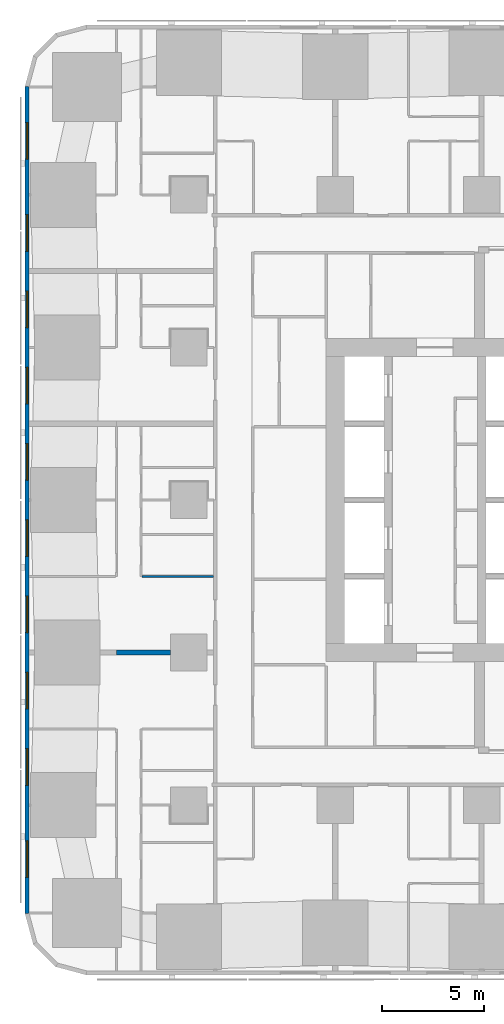
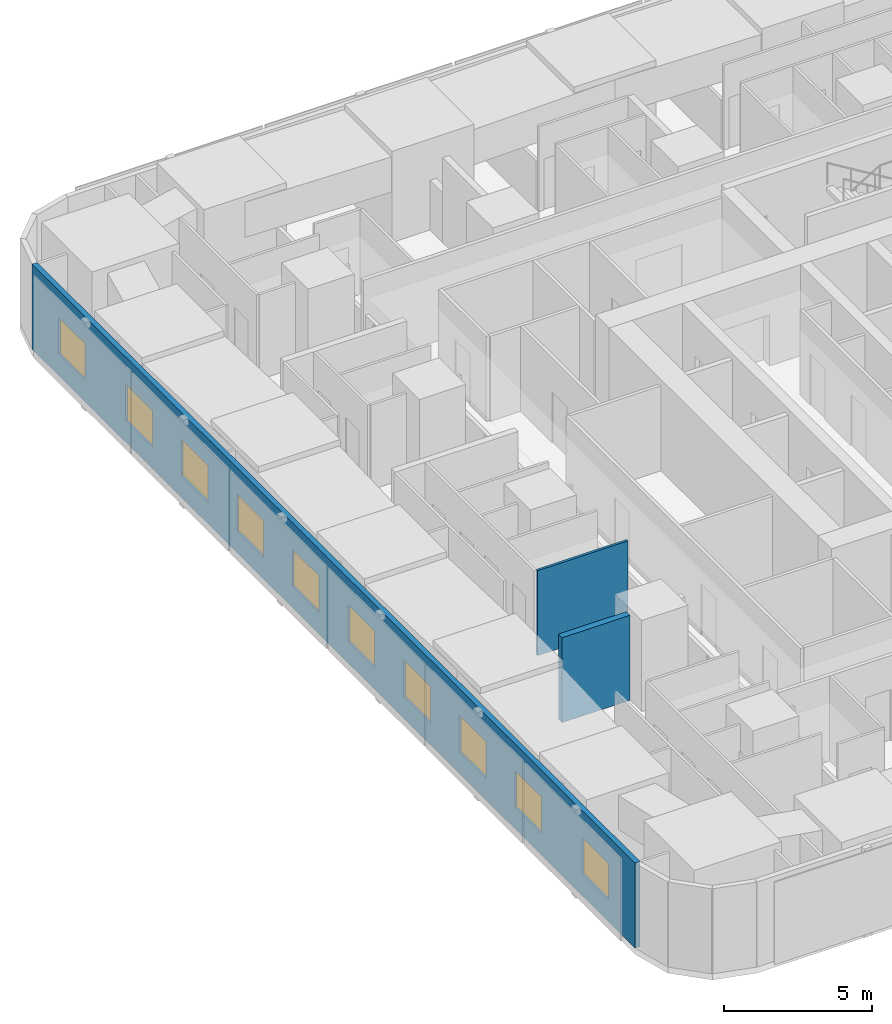
# One storey, part 4 of 17: 10 windows, 3 walls, 10 openings.
"""IFC4 building model written with IfcOpenShell, lengths in metres."""

from ifc_helpers import new_model, si_unit, direction, frame, frame_2d, origin, place, context, subcontext, project, spatial, rectangle, extrude, material, layer, layer_set, type_object, element, fill, save


model = new_model("IFC4")

# Units and contexts
model_context = context("Model", 3, precision=1e-05, world=origin(), true_north=direction((0.0, 1.0)))
body_context = subcontext(model_context, "Body", "Model", "MODEL_VIEW")
ifc_project = project(units=[si_unit("LENGTHUNIT", "METRE"), si_unit("AREAUNIT", "SQUARE_METRE"), si_unit("VOLUMEUNIT", "CUBIC_METRE"), si_unit("PLANEANGLEUNIT", "RADIAN"), si_unit("MASSUNIT", "GRAM", prefix="KILO")], contexts=[model_context])

# Site, building, storey
site_placement = place(None, origin())
site = spatial("IfcSite", under=ifc_project, at=site_placement, CompositionType="ELEMENT")
building_placement = place(site_placement, origin())
building = spatial("IfcBuilding", under=site, at=building_placement, Name="Sheger Commons Tower", CompositionType="ELEMENT")
storey_placement = place(building_placement, frame((0.0, 0.0, 23.75)))
storey = spatial("IfcBuildingStorey", under=building, at=storey_placement, Name="L05", CompositionType="ELEMENT", Elevation=23.75)

# Wall
ifc_material_1 = material(Name="Dense concrete block masonry, plastered both sides (separating wall between flats)", Category="masonry")
ifc_layer_1 = layer(ifc_material_1, 0.25)
ifc_layer_set_1 = layer_set([ifc_layer_1], Name="DEMISING WALL 250")
wall_type_1 = type_object("IfcWallType", Name="DEMISING WALL 250", PredefinedType="SOLIDWALL", material=ifc_layer_set_1)
wall_1_placement = place(storey_placement, frame((3.64990234375, 15.0, 0.0), z_axis=(0.0, 0.0, 1.0), x_axis=(1.0, 0.0, 0.0)))
element("IfcWall", 1, at=wall_1_placement, inside=storey, type_object=wall_type_1, Name="Demising wall L05", PredefinedType="SOLIDWALL", context=body_context, shape_type="SweptSolid", body=[
    extrude(rectangle(XDim=2.649169921875, YDim=0.25, at=frame_2d((1.32470703125, 0.0))), origin(), (0.0, 0.0, 1.0), 3.5),
])

# Wall, openings, windows
ifc_material_2 = material(Name="Rendered concrete block masonry, dark grey", Category="masonry")
ifc_layer_2 = layer(ifc_material_2, 0.199951171875)
ifc_layer_set_2 = layer_set([ifc_layer_2], Name="FACADE WALL 200")
wall_type_2 = type_object("IfcWallType", Name="FACADE WALL 200", PredefinedType="SOLIDWALL", material=ifc_layer_set_2)
wall_2_placement = place(storey_placement, frame((-0.75, 42.8369140625, 0.0), z_axis=(0.0, 0.0, 1.0), x_axis=(0.0, -1.0, 0.0)))
wall_2 = element("IfcWall", 2, at=wall_2_placement, inside=storey, type_object=wall_type_2, Name="Facade wall L05", PredefinedType="SOLIDWALL", context=body_context, shape_type="SweptSolid", body=[
    extrude(rectangle(XDim=40.673828125, YDim=0.199951171875, at=frame_2d((20.3369140625, 0.0))), origin(), (0.0, 0.0, 1.0), 3.5),
])
opening_1_placement = place(wall_2_placement, frame((1.780029296875, 0.0, 0.89990234375)))
opening_1 = element("IfcOpeningElement", 3, at=opening_1_placement, cuts=wall_2, Name="Opening W2", PredefinedType="OPENING", context=body_context, shape_type="SweptSolid", body=[
    extrude(rectangle(XDim=1.800048828125, YDim=1.5, at=frame_2d((0.89990234375, 0.75))), frame((0.0, 0.10986328125, 0.0), z_axis=(0.0, -1.0, 0.0), x_axis=(1.0, 0.0, 0.0)), (0.0, 0.0, 1.0), 0.219970703125),
])
opening_2_placement = place(wall_2_placement, frame((6.31201171875, 0.0, 0.89990234375)))
opening_2 = element("IfcOpeningElement", 4, at=opening_2_placement, cuts=wall_2, Name="Opening W2", PredefinedType="OPENING", context=body_context, shape_type="SweptSolid", body=[
    extrude(rectangle(XDim=1.800048828125, YDim=1.5, at=frame_2d((0.89990234375, 0.75))), frame((0.0, 0.10986328125, 0.0), z_axis=(0.0, -1.0, 0.0), x_axis=(1.0, 0.0, 0.0)), (0.0, 0.0, 1.0), 0.219970703125),
])
opening_3_placement = place(wall_2_placement, frame((10.06201171875, 0.0, 0.89990234375)))
opening_3 = element("IfcOpeningElement", 5, at=opening_3_placement, cuts=wall_2, Name="Opening W2", PredefinedType="OPENING", context=body_context, shape_type="SweptSolid", body=[
    extrude(rectangle(XDim=1.800048828125, YDim=1.5, at=frame_2d((0.89990234375, 0.75))), frame((0.0, 0.10986328125, 0.0), z_axis=(0.0, -1.0, 0.0), x_axis=(1.0, 0.0, 0.0)), (0.0, 0.0, 1.0), 0.219970703125),
])
opening_4_placement = place(wall_2_placement, frame((13.81201171875, 0.0, 0.89990234375)))
opening_4 = element("IfcOpeningElement", 6, at=opening_4_placement, cuts=wall_2, Name="Opening W2", PredefinedType="OPENING", context=body_context, shape_type="SweptSolid", body=[
    extrude(rectangle(XDim=1.800048828125, YDim=1.5, at=frame_2d((0.89990234375, 0.75))), frame((0.0, 0.10986328125, 0.0), z_axis=(0.0, -1.0, 0.0), x_axis=(1.0, 0.0, 0.0)), (0.0, 0.0, 1.0), 0.219970703125),
])
opening_5_placement = place(wall_2_placement, frame((17.56201171875, 0.0, 0.89990234375)))
opening_5 = element("IfcOpeningElement", 7, at=opening_5_placement, cuts=wall_2, Name="Opening W2", PredefinedType="OPENING", context=body_context, shape_type="SweptSolid", body=[
    extrude(rectangle(XDim=1.800048828125, YDim=1.5, at=frame_2d((0.89990234375, 0.75))), frame((0.0, 0.10986328125, 0.0), z_axis=(0.0, -1.0, 0.0), x_axis=(1.0, 0.0, 0.0)), (0.0, 0.0, 1.0), 0.219970703125),
])
opening_6_placement = place(wall_2_placement, frame((21.31201171875, 0.0, 0.89990234375)))
opening_6 = element("IfcOpeningElement", 8, at=opening_6_placement, cuts=wall_2, Name="Opening W2", PredefinedType="OPENING", context=body_context, shape_type="SweptSolid", body=[
    extrude(rectangle(XDim=1.800048828125, YDim=1.5, at=frame_2d((0.89990234375, 0.75))), frame((0.0, 0.10986328125, 0.0), z_axis=(0.0, -1.0, 0.0), x_axis=(1.0, 0.0, 0.0)), (0.0, 0.0, 1.0), 0.219970703125),
])
opening_7_placement = place(wall_2_placement, frame((25.06201171875, 0.0, 0.89990234375)))
opening_7 = element("IfcOpeningElement", 9, at=opening_7_placement, cuts=wall_2, Name="Opening W2", PredefinedType="OPENING", context=body_context, shape_type="SweptSolid", body=[
    extrude(rectangle(XDim=1.800048828125, YDim=1.5, at=frame_2d((0.89990234375, 0.75))), frame((0.0, 0.10986328125, 0.0), z_axis=(0.0, -1.0, 0.0), x_axis=(1.0, 0.0, 0.0)), (0.0, 0.0, 1.0), 0.219970703125),
])
opening_8_placement = place(wall_2_placement, frame((28.81201171875, 0.0, 0.89990234375)))
opening_8 = element("IfcOpeningElement", 10, at=opening_8_placement, cuts=wall_2, Name="Opening W2", PredefinedType="OPENING", context=body_context, shape_type="SweptSolid", body=[
    extrude(rectangle(XDim=1.800048828125, YDim=1.5, at=frame_2d((0.89990234375, 0.75))), frame((0.0, 0.10986328125, 0.0), z_axis=(0.0, -1.0, 0.0), x_axis=(1.0, 0.0, 0.0)), (0.0, 0.0, 1.0), 0.219970703125),
])
opening_9_placement = place(wall_2_placement, frame((32.56201171875, 0.0, 0.89990234375)))
opening_9 = element("IfcOpeningElement", 11, at=opening_9_placement, cuts=wall_2, Name="Opening W2", PredefinedType="OPENING", context=body_context, shape_type="SweptSolid", body=[
    extrude(rectangle(XDim=1.800048828125, YDim=1.5, at=frame_2d((0.89990234375, 0.75))), frame((0.0, 0.10986328125, 0.0), z_axis=(0.0, -1.0, 0.0), x_axis=(1.0, 0.0, 0.0)), (0.0, 0.0, 1.0), 0.219970703125),
])
opening_10_placement = place(wall_2_placement, frame((37.093994140625, 0.0, 0.89990234375)))
opening_10 = element("IfcOpeningElement", 12, at=opening_10_placement, cuts=wall_2, Name="Opening W2", PredefinedType="OPENING", context=body_context, shape_type="SweptSolid", body=[
    extrude(rectangle(XDim=1.800048828125, YDim=1.5, at=frame_2d((0.89990234375, 0.75))), frame((0.0, 0.10986328125, 0.0), z_axis=(0.0, -1.0, 0.0), x_axis=(1.0, 0.0, 0.0)), (0.0, 0.0, 1.0), 0.219970703125),
])
ifc_material_3 = material(Name="Black aluminium frame, dark tinted double glazing", Category="aluminium")
window_type = type_object("IfcWindowType", Name="WINDOW W2 1800x1500", PartitioningType="SINGLE_PANEL", PredefinedType="WINDOW", material=ifc_material_3)
window_1_placement = place(opening_1_placement, origin())
window_1 = element("IfcWindow", 13, at=window_1_placement, inside=storey, type_object=window_type, Name="Window W2 1800X1500", OverallHeight=1.5, OverallWidth=1.800048828125, PartitioningType="SINGLE_PANEL", PredefinedType="WINDOW", context=body_context, shape_type="SweptSolid", body=[
    extrude(rectangle(XDim=1.800048828125, YDim=1.5, at=frame_2d((0.89990234375, 0.75))), frame((0.0, 0.030029296875, 0.0), z_axis=(0.0, -1.0, 0.0), x_axis=(1.0, 0.0, 0.0)), (0.0, 0.0, 1.0), 0.06005859375),
])
fill(opening_1, window_1)
window_2_placement = place(opening_2_placement, origin())
window_2 = element("IfcWindow", 14, at=window_2_placement, inside=storey, type_object=window_type, Name="Window W2 1800X1500", OverallHeight=1.5, OverallWidth=1.800048828125, PartitioningType="SINGLE_PANEL", PredefinedType="WINDOW", context=body_context, shape_type="SweptSolid", body=[
    extrude(rectangle(XDim=1.800048828125, YDim=1.5, at=frame_2d((0.89990234375, 0.75))), frame((0.0, 0.030029296875, 0.0), z_axis=(0.0, -1.0, 0.0), x_axis=(1.0, 0.0, 0.0)), (0.0, 0.0, 1.0), 0.06005859375),
])
fill(opening_2, window_2)
window_3_placement = place(opening_3_placement, origin())
window_3 = element("IfcWindow", 15, at=window_3_placement, inside=storey, type_object=window_type, Name="Window W2 1800X1500", OverallHeight=1.5, OverallWidth=1.800048828125, PartitioningType="SINGLE_PANEL", PredefinedType="WINDOW", context=body_context, shape_type="SweptSolid", body=[
    extrude(rectangle(XDim=1.800048828125, YDim=1.5, at=frame_2d((0.89990234375, 0.75))), frame((0.0, 0.030029296875, 0.0), z_axis=(0.0, -1.0, 0.0), x_axis=(1.0, 0.0, 0.0)), (0.0, 0.0, 1.0), 0.06005859375),
])
fill(opening_3, window_3)
window_4_placement = place(opening_4_placement, origin())
window_4 = element("IfcWindow", 16, at=window_4_placement, inside=storey, type_object=window_type, Name="Window W2 1800X1500", OverallHeight=1.5, OverallWidth=1.800048828125, PartitioningType="SINGLE_PANEL", PredefinedType="WINDOW", context=body_context, shape_type="SweptSolid", body=[
    extrude(rectangle(XDim=1.800048828125, YDim=1.5, at=frame_2d((0.89990234375, 0.75))), frame((0.0, 0.030029296875, 0.0), z_axis=(0.0, -1.0, 0.0), x_axis=(1.0, 0.0, 0.0)), (0.0, 0.0, 1.0), 0.06005859375),
])
fill(opening_4, window_4)
window_5_placement = place(opening_5_placement, origin())
window_5 = element("IfcWindow", 17, at=window_5_placement, inside=storey, type_object=window_type, Name="Window W2 1800X1500", OverallHeight=1.5, OverallWidth=1.800048828125, PartitioningType="SINGLE_PANEL", PredefinedType="WINDOW", context=body_context, shape_type="SweptSolid", body=[
    extrude(rectangle(XDim=1.800048828125, YDim=1.5, at=frame_2d((0.89990234375, 0.75))), frame((0.0, 0.030029296875, 0.0), z_axis=(0.0, -1.0, 0.0), x_axis=(1.0, 0.0, 0.0)), (0.0, 0.0, 1.0), 0.06005859375),
])
fill(opening_5, window_5)
window_6_placement = place(opening_6_placement, origin())
window_6 = element("IfcWindow", 18, at=window_6_placement, inside=storey, type_object=window_type, Name="Window W2 1800X1500", OverallHeight=1.5, OverallWidth=1.800048828125, PartitioningType="SINGLE_PANEL", PredefinedType="WINDOW", context=body_context, shape_type="SweptSolid", body=[
    extrude(rectangle(XDim=1.800048828125, YDim=1.5, at=frame_2d((0.89990234375, 0.75))), frame((0.0, 0.030029296875, 0.0), z_axis=(0.0, -1.0, 0.0), x_axis=(1.0, 0.0, 0.0)), (0.0, 0.0, 1.0), 0.06005859375),
])
fill(opening_6, window_6)
window_7_placement = place(opening_7_placement, origin())
window_7 = element("IfcWindow", 19, at=window_7_placement, inside=storey, type_object=window_type, Name="Window W2 1800X1500", OverallHeight=1.5, OverallWidth=1.800048828125, PartitioningType="SINGLE_PANEL", PredefinedType="WINDOW", context=body_context, shape_type="SweptSolid", body=[
    extrude(rectangle(XDim=1.800048828125, YDim=1.5, at=frame_2d((0.89990234375, 0.75))), frame((0.0, 0.030029296875, 0.0), z_axis=(0.0, -1.0, 0.0), x_axis=(1.0, 0.0, 0.0)), (0.0, 0.0, 1.0), 0.06005859375),
])
fill(opening_7, window_7)
window_8_placement = place(opening_8_placement, origin())
window_8 = element("IfcWindow", 20, at=window_8_placement, inside=storey, type_object=window_type, Name="Window W2 1800X1500", OverallHeight=1.5, OverallWidth=1.800048828125, PartitioningType="SINGLE_PANEL", PredefinedType="WINDOW", context=body_context, shape_type="SweptSolid", body=[
    extrude(rectangle(XDim=1.800048828125, YDim=1.5, at=frame_2d((0.89990234375, 0.75))), frame((0.0, 0.030029296875, 0.0), z_axis=(0.0, -1.0, 0.0), x_axis=(1.0, 0.0, 0.0)), (0.0, 0.0, 1.0), 0.06005859375),
])
fill(opening_8, window_8)
window_9_placement = place(opening_9_placement, origin())
window_9 = element("IfcWindow", 21, at=window_9_placement, inside=storey, type_object=window_type, Name="Window W2 1800X1500", OverallHeight=1.5, OverallWidth=1.800048828125, PartitioningType="SINGLE_PANEL", PredefinedType="WINDOW", context=body_context, shape_type="SweptSolid", body=[
    extrude(rectangle(XDim=1.800048828125, YDim=1.5, at=frame_2d((0.89990234375, 0.75))), frame((0.0, 0.030029296875, 0.0), z_axis=(0.0, -1.0, 0.0), x_axis=(1.0, 0.0, 0.0)), (0.0, 0.0, 1.0), 0.06005859375),
])
fill(opening_9, window_9)
window_10_placement = place(opening_10_placement, origin())
window_10 = element("IfcWindow", 22, at=window_10_placement, inside=storey, type_object=window_type, Name="Window W2 1800X1500", OverallHeight=1.5, OverallWidth=1.800048828125, PartitioningType="SINGLE_PANEL", PredefinedType="WINDOW", context=body_context, shape_type="SweptSolid", body=[
    extrude(rectangle(XDim=1.800048828125, YDim=1.5, at=frame_2d((0.89990234375, 0.75))), frame((0.0, 0.030029296875, 0.0), z_axis=(0.0, -1.0, 0.0), x_axis=(1.0, 0.0, 0.0)), (0.0, 0.0, 1.0), 0.06005859375),
])
fill(opening_10, window_10)

# Wall
ifc_material_4 = material(Name="Gypsum board on steel studs", Category="steel")
ifc_layer_3 = layer(ifc_material_4, 0.10009765625)
ifc_layer_set_3 = layer_set([ifc_layer_3], Name="PARTITION 100")
wall_type_3 = type_object("IfcWallType", Name="PARTITION 100", PredefinedType="PARTITIONING", material=ifc_layer_set_3)
wall_3_placement = place(storey_placement, frame((4.89990234375, 18.75, 0.0), z_axis=(0.0, 0.0, 1.0), x_axis=(1.0, 0.0, 0.0)))
element("IfcWall", 23, at=wall_3_placement, inside=storey, type_object=wall_type_3, Name="Partition L05", PredefinedType="PARTITIONING", context=body_context, shape_type="SweptSolid", body=[
    extrude(rectangle(XDim=3.525146484375, YDim=0.10009765625, at=frame_2d((1.7626953125, 0.0))), origin(), (0.0, 0.0, 1.0), 3.5),
])

save(model, "model.ifc")
